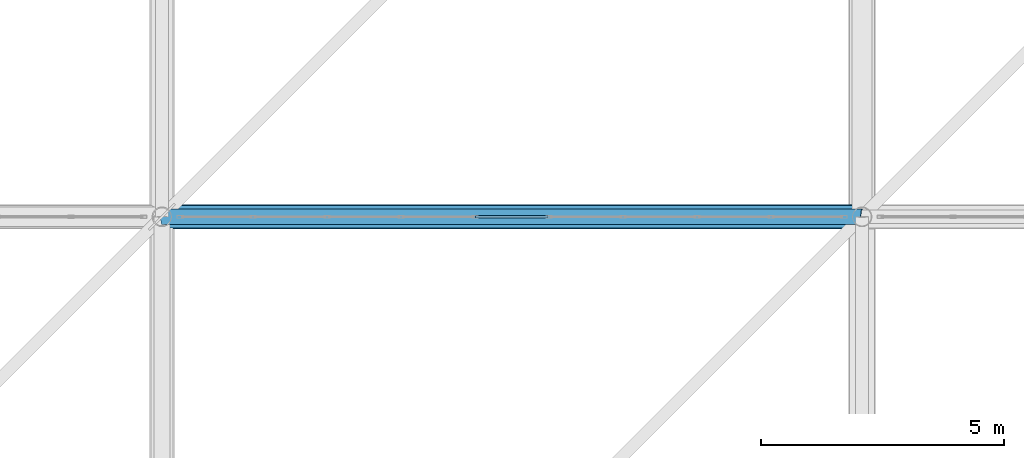
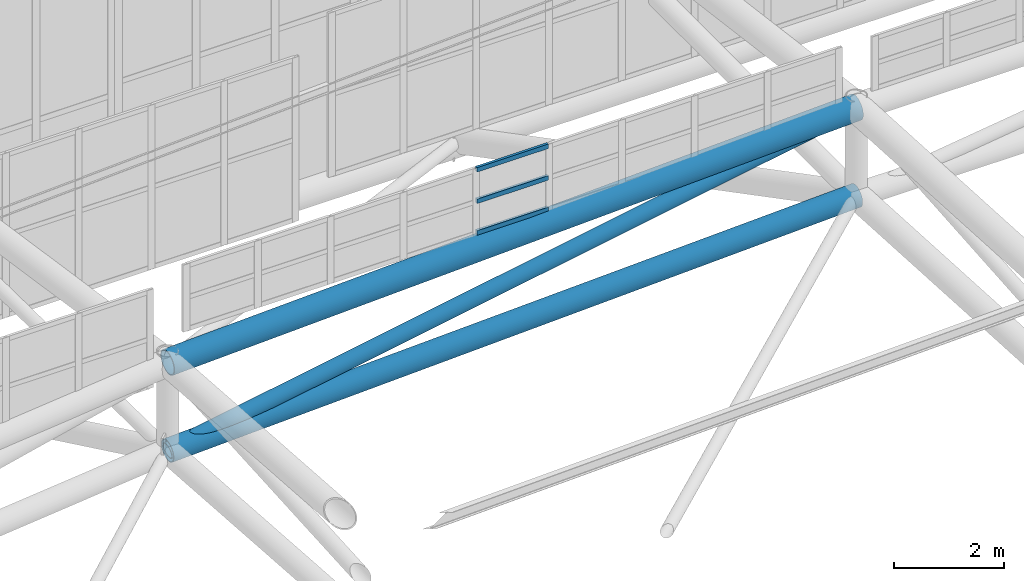
# One storey, part 244 of 397: 4 members, 2 beams, 1 element without a shape of its own.
"""IFC4 building model written with IfcOpenShell, lengths in metres."""

from ifc_helpers import new_model, si_unit, direction, frame, origin, origin_2d, place, context, subcontext, project, spatial, hollow_rectangle, hollow_circle, extrude, material, material_profile, profile_set, type_object, element, aggregate, save


model = new_model("IFC4")

# Units and contexts
model_context = context("Model", 3, precision=1e-05, world=origin(), true_north=direction((0.0, 1.0)))
body_context = subcontext(model_context, "Body", "Model", "MODEL_VIEW")
ifc_project = project(units=[si_unit("LENGTHUNIT", "METRE"), si_unit("AREAUNIT", "SQUARE_METRE"), si_unit("VOLUMEUNIT", "CUBIC_METRE"), si_unit("PLANEANGLEUNIT", "RADIAN"), si_unit("MASSUNIT", "GRAM", prefix="KILO")], contexts=[model_context])

# Site, building, storey
site_placement = place(None, origin())
site = spatial("IfcSite", under=ifc_project, at=site_placement, CompositionType="ELEMENT")
building_placement = place(site_placement, origin())
building = spatial("IfcBuilding", under=site, at=building_placement, Name="Qandorah Velis Arena", CompositionType="ELEMENT")
storey_placement = place(building_placement, frame((0.0, 0.0, 27.5)))
storey = spatial("IfcBuildingStorey", under=building, at=storey_placement, Name="RF", CompositionType="ELEMENT", Elevation=27.5)

# Curtain wall, members
ifc_material_1 = material(Name="Solar-control low-E double glazing", Category="glass")
curtain_wall_type = type_object("IfcCurtainWallType", Name="ARC-CW-SYS22", PredefinedType="USERDEFINED", material=ifc_material_1)
curtain_wall_placement = place(storey_placement, origin())
curtain_wall = element("IfcCurtainWall", 1, at=curtain_wall_placement, inside=storey, type_object=curtain_wall_type, Name="Unitised curtain wall OCULUS-4-2", ObjectType="UNITISED CURTAIN WALL", PredefinedType="USERDEFINED")
ifc_material_2 = material(Name="Champagne-bronze anodized aluminium 6063-T6", Category="aluminium")
ifc_material_profile_1 = material_profile(ifc_material_2, hollow_rectangle(XDim=0.054931640625, YDim=0.10009765625, WallThickness=0.0029296875, at=origin_2d()), Name="ALU TRANSOM 55x100")
ifc_profile_set_1 = profile_set([ifc_material_profile_1], Name="Champagne-bronze anodized aluminium 6063-T6")
member_type_1 = type_object("IfcMemberType", Name="ARC-CWT-100", PredefinedType="USERDEFINED", material=ifc_profile_set_1)
member_1_placement = place(storey_placement, frame((49.654296875, 100.800048828125, 9.57666015625), z_axis=(1.0, 0.0, 0.0), x_axis=(0.0, 1.0, 0.0)))
member_1 = element("IfcMember", 2, at=member_1_placement, type_object=member_type_1, Name="CW22 transom 5.1", ObjectType="TRANSOM", PredefinedType="USERDEFINED", context=body_context, shape_type="SweptSolid", body=[
    extrude(hollow_rectangle(XDim=0.054931640625, YDim=0.10009765625, WallThickness=0.0029296875, at=origin_2d()), origin(), (0.0, 0.0, 1.0), 1.4912109375),
])
member_2_placement = place(storey_placement, frame((49.654296875, 100.800048828125, 10.274658203125), z_axis=(1.0, 0.0, 0.0), x_axis=(0.0, 1.0, 0.0)))
member_2 = element("IfcMember", 3, at=member_2_placement, type_object=member_type_1, Name="CW22 transom 5.2", ObjectType="TRANSOM", PredefinedType="USERDEFINED", context=body_context, shape_type="SweptSolid", body=[
    extrude(hollow_rectangle(XDim=0.054931640625, YDim=0.10009765625, WallThickness=0.0029296875, at=origin_2d()), origin(), (0.0, 0.0, 1.0), 1.4912109375),
])
member_3_placement = place(storey_placement, frame((49.654296875, 100.800048828125, 10.972412109375), z_axis=(1.0, 0.0, 0.0), x_axis=(0.0, 1.0, 0.0)))
member_3 = element("IfcMember", 4, at=member_3_placement, type_object=member_type_1, Name="CW22 transom 5.3", ObjectType="TRANSOM", PredefinedType="USERDEFINED", context=body_context, shape_type="SweptSolid", body=[
    extrude(hollow_rectangle(XDim=0.054931640625, YDim=0.10009765625, WallThickness=0.0029296875, at=origin_2d()), origin(), (0.0, 0.0, 1.0), 1.4912109375),
])
aggregate(curtain_wall, [member_1, member_2, member_3])

# Beams
ifc_material_3 = material(Name="Steel S355", Category="steel")
ifc_material_profile_2 = material_profile(ifc_material_3, hollow_circle(Radius=0.228515625, WallThickness=0.01611328125, at=origin_2d()), Name="CHS 457x16")
ifc_profile_set_2 = profile_set([ifc_material_profile_2], Name="Steel S355")
beam_type_1 = type_object("IfcBeamType", Name="STR-SFC-CHS457X16", PredefinedType="USERDEFINED", material=ifc_profile_set_2)
beam_1_placement = place(storey_placement, frame((43.199951171875, 100.800048828125, 7.009521484375), z_axis=(0.999122206427, 0.0, 0.04189053145), x_axis=(0.0, 1.0, 0.0)))
element("IfcBeam", 5, at=beam_1_placement, inside=storey, type_object=beam_type_1, Name="Space frame roof truss bottom chord X 2.6", ObjectType="ROOF TRUSS", PredefinedType="USERDEFINED", context=body_context, shape_type="SweptSolid", body=[
    extrude(hollow_circle(Radius=0.228515625, WallThickness=0.01611328125, at=origin_2d()), origin(), (0.0, 0.0, 1.0), 14.412841796875),
])
ifc_material_profile_3 = material_profile(ifc_material_3, hollow_circle(Radius=0.25390625, WallThickness=0.02001953125, at=origin_2d()), Name="CHS 508x20")
ifc_profile_set_3 = profile_set([ifc_material_profile_3], Name="Steel S355")
beam_type_2 = type_object("IfcBeamType", Name="STR-SFC-CHS508X20", PredefinedType="USERDEFINED", material=ifc_profile_set_3)
beam_2_placement = place(storey_placement, frame((43.199951171875, 100.800048828125, 8.95947265625), z_axis=(0.999122206427, 0.0, 0.04189053145), x_axis=(0.0, 1.0, 0.0)))
element("IfcBeam", 6, at=beam_2_placement, inside=storey, type_object=beam_type_2, Name="Space frame roof truss top chord X 2.6", ObjectType="ROOF TRUSS", PredefinedType="USERDEFINED", context=body_context, shape_type="SweptSolid", body=[
    extrude(hollow_circle(Radius=0.25390625, WallThickness=0.02001953125, at=origin_2d()), origin(), (0.0, 0.0, 1.0), 14.412841796875),
])

# Member
ifc_material_profile_4 = material_profile(ifc_material_3, hollow_circle(Radius=0.161865234375, WallThickness=0.01611328125, at=origin_2d()), Name="CHS 323.9x16")
ifc_profile_set_4 = profile_set([ifc_material_profile_4], Name="Steel S355")
member_type_2 = type_object("IfcMemberType", Name="STR-SFD-CHS323X16", PredefinedType="CHORD", material=ifc_profile_set_4)
member_4_placement = place(storey_placement, frame((43.199951171875, 100.800048828125, 7.009521484375), z_axis=(0.984636832654, 0.0, 0.17461474102), x_axis=(0.0, 1.0, 0.0)))
element("IfcMember", 7, at=member_4_placement, inside=storey, type_object=member_type_2, Name="Space frame roof diagonal X 2.6", PredefinedType="CHORD", context=body_context, shape_type="SweptSolid", body=[
    extrude(hollow_circle(Radius=0.161865234375, WallThickness=0.01611328125, at=origin_2d()), origin(), (0.0, 0.0, 1.0), 14.624755859375),
])

save(model, "model.ifc")
